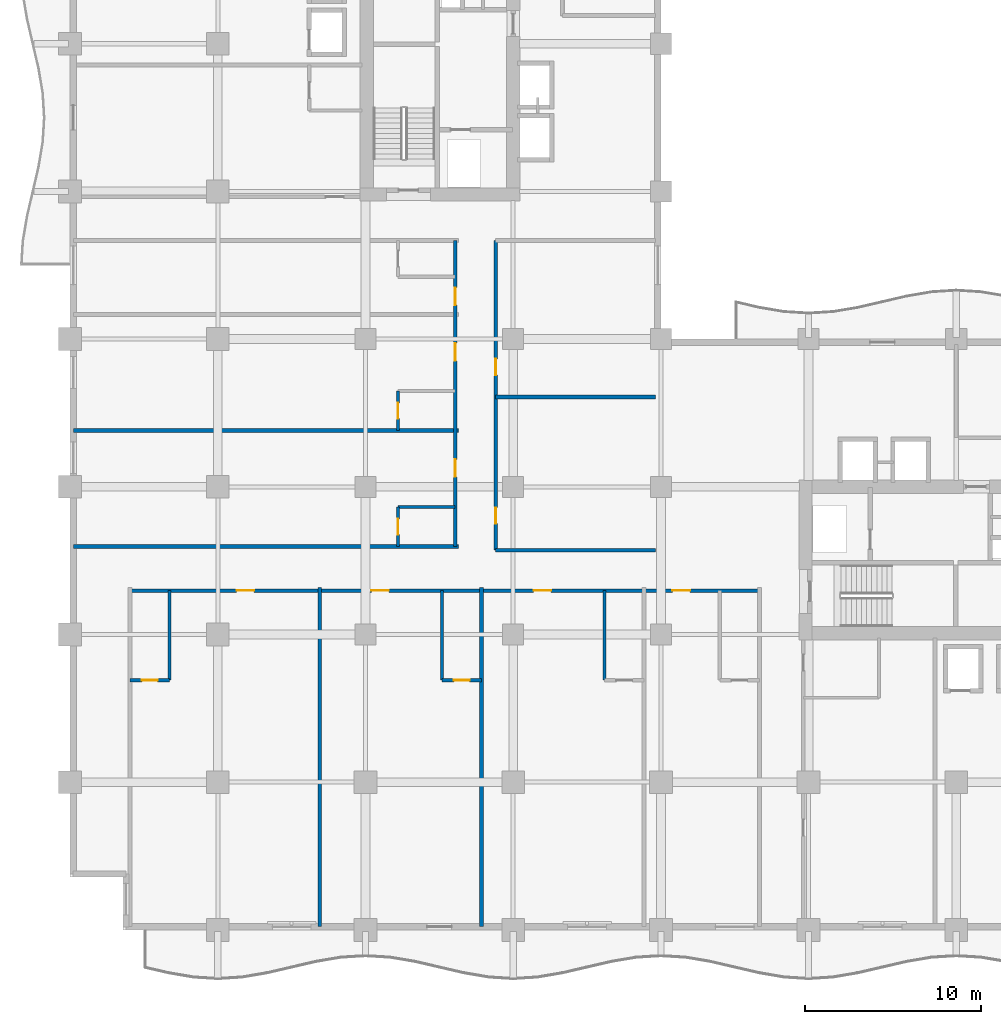
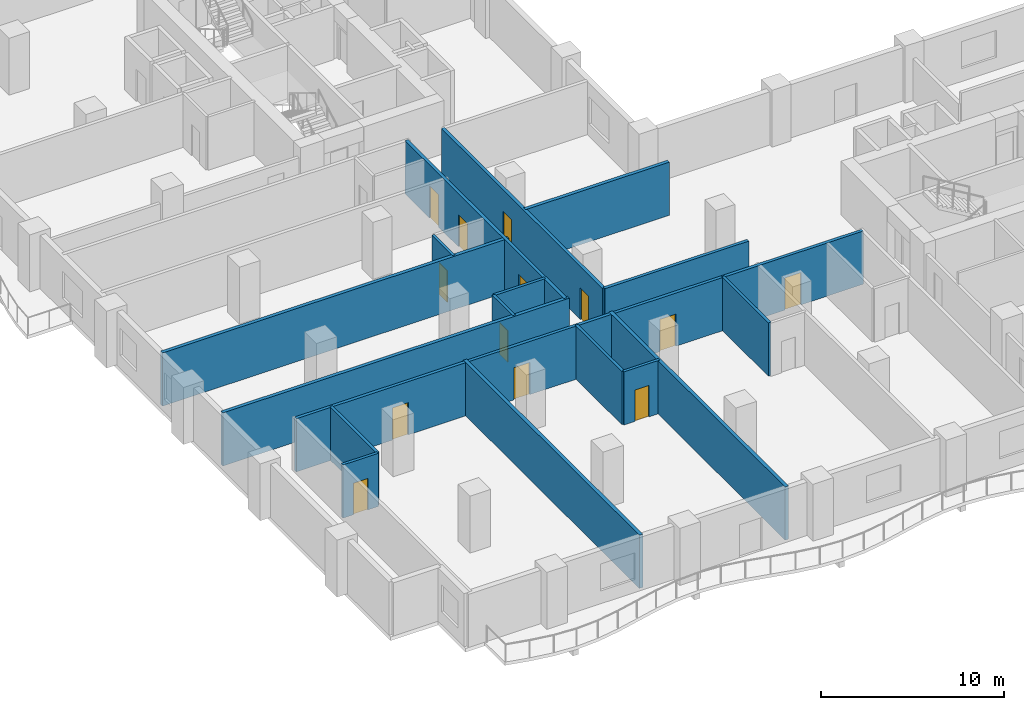
# One storey, part 7 of 21: 17 walls, 13 doors, 13 openings.
"""IFC4 building model written with IfcOpenShell, lengths in metres."""

from ifc_helpers import new_model, si_unit, direction, frame, frame_2d, origin, place, context, subcontext, project, spatial, rectangle, extrude, material, layer, layer_set, type_object, element, fill, save


model = new_model("IFC4")

# Units and contexts
model_context = context("Model", 3, precision=1e-05, world=origin(), true_north=direction((0.0, 1.0)))
body_context = subcontext(model_context, "Body", "Model", "MODEL_VIEW")
ifc_project = project(units=[si_unit("LENGTHUNIT", "METRE"), si_unit("AREAUNIT", "SQUARE_METRE"), si_unit("VOLUMEUNIT", "CUBIC_METRE"), si_unit("PLANEANGLEUNIT", "RADIAN"), si_unit("MASSUNIT", "GRAM", prefix="KILO")], contexts=[model_context])

# Site, building, storey
site_placement = place(None, origin())
site = spatial("IfcSite", under=ifc_project, at=site_placement, CompositionType="ELEMENT")
building_placement = place(site_placement, origin())
building = spatial("IfcBuilding", under=site, at=building_placement, Name="Koriwani Terraces Tower", CompositionType="ELEMENT")
storey_placement = place(building_placement, frame((0.0, 0.0, 111.39990234375)))
storey = spatial("IfcBuildingStorey", under=building, at=storey_placement, Name="L26", CompositionType="ELEMENT", Elevation=111.39990234375)

# Wall, openings, doors
ifc_material_1 = material(Name="Autoclaved Cellular Concrete Blockwork", Category="masonry")
ifc_layer_1 = layer(ifc_material_1, 0.199951171875, Name="Autoclaved Cellular Concrete Blockwork")
ifc_layer_set_1 = layer_set([ifc_layer_1], Name="Autoclaved Cellular Concrete Blockwork")
wall_type_1 = type_object("IfcWallType", Name="WALL_CORRIDOR_200", PredefinedType="PARTITIONING", material=ifc_layer_set_1)
wall_1_placement = place(storey_placement, frame((24.199951171875, 21.60009765625, 0.0), z_axis=(0.0, 0.0, 1.0), x_axis=(0.0, 1.0, 0.0)))
wall_1 = element("IfcWall", 1, at=wall_1_placement, inside=storey, type_object=wall_type_1, Name="L26 Interior Wall WIC2-W-L26", PredefinedType="PARTITIONING", context=body_context, shape_type="SweptSolid", body=[
    extrude(rectangle(XDim=17.599853515625, YDim=0.199951171875, at=frame_2d((8.7998046875, 0.0))), origin(), (0.0, 0.0, 1.0), 3.550048828125),
])
opening_1_placement = place(wall_1_placement, frame((1.5, 0.0, 0.0)))
opening_1 = element("IfcOpeningElement", 2, at=opening_1_placement, cuts=wall_1, Name="Opening D-06", PredefinedType="OPENING", context=body_context, shape_type="SweptSolid", body=[
    extrude(rectangle(XDim=0.919921875, YDim=2.10009765625, at=frame_2d((0.4599609375, 1.050048828125))), frame((0.0, 0.10986328125, 0.0), z_axis=(0.0, -1.0, 0.0), x_axis=(1.0, 0.0, 0.0)), (0.0, 0.0, 1.0), 0.219970703125),
])
opening_2_placement = place(wall_1_placement, frame((9.949951171875, 0.0, 0.0)))
opening_2 = element("IfcOpeningElement", 3, at=opening_2_placement, cuts=wall_1, Name="Opening D-06", PredefinedType="OPENING", context=body_context, shape_type="SweptSolid", body=[
    extrude(rectangle(XDim=0.919921875, YDim=2.10009765625, at=frame_2d((0.4599609375, 1.050048828125))), frame((0.0, 0.10986328125, 0.0), z_axis=(0.0, -1.0, 0.0), x_axis=(1.0, 0.0, 0.0)), (0.0, 0.0, 1.0), 0.219970703125),
])
ifc_material_2 = material(Name="Architectural Oak Fire Door", Category="wood")
door_type_1 = type_object("IfcDoorType", Name="DOOR_ROOM_INT_920X2100", OperationType="NOTDEFINED", PredefinedType="DOOR", material=ifc_material_2)
door_1_placement = place(opening_1_placement, origin())
door_1 = element("IfcDoor", 4, at=door_1_placement, inside=storey, type_object=door_type_1, Name="L26 Inner Court Salon Door", OperationType="SINGLE_SWING_RIGHT", OverallHeight=2.10009765625, OverallWidth=0.919921875, PredefinedType="DOOR", context=body_context, shape_type="SweptSolid", body=[
    extrude(rectangle(XDim=0.919921875, YDim=2.10009765625, at=frame_2d((0.4599609375, 1.050048828125))), frame((0.0, 0.02490234375, 0.0), z_axis=(0.0, -1.0, 0.0), x_axis=(1.0, 0.0, 0.0)), (0.0, 0.0, 1.0), 0.050048828125),
])
fill(opening_1, door_1)
door_2_placement = place(opening_2_placement, origin())
door_2 = element("IfcDoor", 5, at=door_2_placement, inside=storey, type_object=door_type_1, Name="L26 Inner Court Media Room Door", OperationType="SINGLE_SWING_LEFT", OverallHeight=2.10009765625, OverallWidth=0.919921875, PredefinedType="DOOR", context=body_context, shape_type="SweptSolid", body=[
    extrude(rectangle(XDim=0.919921875, YDim=2.10009765625, at=frame_2d((0.4599609375, 1.050048828125))), frame((0.0, 0.02490234375, 0.0), z_axis=(0.0, -1.0, 0.0), x_axis=(1.0, 0.0, 0.0)), (0.0, 0.0, 1.0), 0.050048828125),
])
fill(opening_2, door_2)

# Wall
wall_2_placement = place(storey_placement, frame((24.199951171875, 21.60009765625, 0.0), z_axis=(0.0, 0.0, 1.0), x_axis=(1.0, 0.0, 0.0)))
element("IfcWall", 6, at=wall_2_placement, inside=storey, type_object=wall_type_1, Name="L26 Interior Wall WIC2-S-L26", PredefinedType="PARTITIONING", context=body_context, shape_type="SweptSolid", body=[
    extrude(rectangle(XDim=9.10009765625, YDim=0.199951171875, at=frame_2d((4.550048828125, 0.0))), origin(), (0.0, 0.0, 1.0), 3.550048828125),
])

# Wall, openings, doors
wall_3_placement = place(storey_placement, frame((3.39990234375, 19.300048828125, 0.0), z_axis=(0.0, 0.0, 1.0), x_axis=(1.0, 0.0, 0.0)))
wall_3 = element("IfcWall", 7, at=wall_3_placement, inside=storey, type_object=wall_type_1, Name="L26 Interior Wall WCOR-L26-SW-0", PredefinedType="PARTITIONING", context=body_context, shape_type="SweptSolid", body=[
    extrude(rectangle(XDim=35.800048828125, YDim=0.199951171875, at=frame_2d((17.89990234375, 0.0))), origin(), (0.0, 0.0, 1.0), 3.550048828125),
])
opening_3_placement = place(wall_3_placement, frame((6.06494140625, 0.0, 0.0)))
opening_3 = element("IfcOpeningElement", 8, at=opening_3_placement, cuts=wall_3, Name="Opening D-05", PredefinedType="OPENING", context=body_context, shape_type="SweptSolid", body=[
    extrude(rectangle(XDim=1.0, YDim=2.14990234375, at=frame_2d((0.5, 1.074951171875))), frame((0.0, 0.10986328125, 0.0), z_axis=(0.0, -1.0, 0.0), x_axis=(1.0, 0.0, 0.0)), (0.0, 0.0, 1.0), 0.219970703125),
])
opening_4_placement = place(wall_3_placement, frame((13.735107421875, 0.0, 0.0)))
opening_4 = element("IfcOpeningElement", 9, at=opening_4_placement, cuts=wall_3, Name="Opening D-05", PredefinedType="OPENING", context=body_context, shape_type="SweptSolid", body=[
    extrude(rectangle(XDim=1.0, YDim=2.14990234375, at=frame_2d((0.5, 1.074951171875))), frame((0.0, 0.10986328125, 0.0), z_axis=(0.0, -1.0, 0.0), x_axis=(1.0, 0.0, 0.0)), (0.0, 0.0, 1.0), 0.219970703125),
])
opening_5_placement = place(wall_3_placement, frame((22.9599609375, 0.0, 0.0)))
opening_5 = element("IfcOpeningElement", 10, at=opening_5_placement, cuts=wall_3, Name="Opening D-05", PredefinedType="OPENING", context=body_context, shape_type="SweptSolid", body=[
    extrude(rectangle(XDim=1.0, YDim=2.14990234375, at=frame_2d((0.5, 1.074951171875))), frame((0.0, 0.10986328125, 0.0), z_axis=(0.0, -1.0, 0.0), x_axis=(1.0, 0.0, 0.0)), (0.0, 0.0, 1.0), 0.219970703125),
])
opening_6_placement = place(wall_3_placement, frame((30.860107421875, 0.0, 0.0)))
opening_6 = element("IfcOpeningElement", 11, at=opening_6_placement, cuts=wall_3, Name="Opening D-05", PredefinedType="OPENING", context=body_context, shape_type="SweptSolid", body=[
    extrude(rectangle(XDim=1.0, YDim=2.14990234375, at=frame_2d((0.5, 1.074951171875))), frame((0.0, 0.10986328125, 0.0), z_axis=(0.0, -1.0, 0.0), x_axis=(1.0, 0.0, 0.0)), (0.0, 0.0, 1.0), 0.219970703125),
])
door_type_2 = type_object("IfcDoorType", Name="DOOR_SUITE_ENTRY_1000X2150", OperationType="NOTDEFINED", PredefinedType="DOOR", material=ifc_material_2)
door_3_placement = place(opening_3_placement, origin())
door_3 = element("IfcDoor", 12, at=door_3_placement, inside=storey, type_object=door_type_2, Name="Luxury Hotel Suite 26SW1 Entrance Door", OperationType="SINGLE_SWING_RIGHT", OverallHeight=2.14990234375, OverallWidth=1.0, PredefinedType="DOOR", context=body_context, shape_type="SweptSolid", body=[
    extrude(rectangle(XDim=1.0, YDim=2.14990234375, at=frame_2d((0.5, 1.074951171875))), frame((0.0, 0.02490234375, 0.0), z_axis=(0.0, -1.0, 0.0), x_axis=(1.0, 0.0, 0.0)), (0.0, 0.0, 1.0), 0.050048828125),
])
fill(opening_3, door_3)
door_4_placement = place(opening_4_placement, origin())
door_4 = element("IfcDoor", 13, at=door_4_placement, inside=storey, type_object=door_type_2, Name="Luxury Hotel Suite 26SW2 Entrance Door", OperationType="SINGLE_SWING_RIGHT", OverallHeight=2.14990234375, OverallWidth=1.0, PredefinedType="DOOR", context=body_context, shape_type="SweptSolid", body=[
    extrude(rectangle(XDim=1.0, YDim=2.14990234375, at=frame_2d((0.5, 1.074951171875))), frame((0.0, 0.02490234375, 0.0), z_axis=(0.0, -1.0, 0.0), x_axis=(1.0, 0.0, 0.0)), (0.0, 0.0, 1.0), 0.050048828125),
])
fill(opening_4, door_4)
door_5_placement = place(opening_5_placement, origin())
door_5 = element("IfcDoor", 14, at=door_5_placement, inside=storey, type_object=door_type_2, Name="Luxury Hotel Suite 26SW3 Entrance Door", OperationType="SINGLE_SWING_RIGHT", OverallHeight=2.14990234375, OverallWidth=1.0, PredefinedType="DOOR", context=body_context, shape_type="SweptSolid", body=[
    extrude(rectangle(XDim=1.0, YDim=2.14990234375, at=frame_2d((0.5, 1.074951171875))), frame((0.0, 0.02490234375, 0.0), z_axis=(0.0, -1.0, 0.0), x_axis=(1.0, 0.0, 0.0)), (0.0, 0.0, 1.0), 0.050048828125),
])
fill(opening_5, door_5)
door_6_placement = place(opening_6_placement, origin())
door_6 = element("IfcDoor", 15, at=door_6_placement, inside=storey, type_object=door_type_2, Name="Luxury Hotel Suite 26SW4 Entrance Door", OperationType="SINGLE_SWING_RIGHT", OverallHeight=2.14990234375, OverallWidth=1.0, PredefinedType="DOOR", context=body_context, shape_type="SweptSolid", body=[
    extrude(rectangle(XDim=1.0, YDim=2.14990234375, at=frame_2d((0.5, 1.074951171875))), frame((0.0, 0.02490234375, 0.0), z_axis=(0.0, -1.0, 0.0), x_axis=(1.0, 0.0, 0.0)), (0.0, 0.0, 1.0), 0.050048828125),
])
fill(opening_6, door_6)

wall_4_placement = place(storey_placement, frame((21.89990234375, 21.800048828125, 0.0), z_axis=(0.0, 0.0, 1.0), x_axis=(0.0, 1.0, 0.0)))
wall_4 = element("IfcWall", 16, at=wall_4_placement, inside=storey, type_object=wall_type_1, Name="L26 Interior Wall WCOR-L26-NW-0", PredefinedType="PARTITIONING", context=body_context, shape_type="SweptSolid", body=[
    extrude(rectangle(XDim=17.39990234375, YDim=0.199951171875, at=frame_2d((8.699951171875, 0.0))), origin(), (0.0, 0.0, 1.0), 3.550048828125),
])
opening_7_placement = place(wall_4_placement, frame((3.965087890625, 0.0, 0.0)))
opening_7 = element("IfcOpeningElement", 17, at=opening_7_placement, cuts=wall_4, Name="Opening D-05", PredefinedType="OPENING", context=body_context, shape_type="SweptSolid", body=[
    extrude(rectangle(XDim=1.0, YDim=2.14990234375, at=frame_2d((0.5, 1.074951171875))), frame((0.0, 0.10986328125, 0.0), z_axis=(0.0, -1.0, 0.0), x_axis=(1.0, 0.0, 0.0)), (0.0, 0.0, 1.0), 0.219970703125),
])
opening_8_placement = place(wall_4_placement, frame((10.56494140625, 0.0, 0.0)))
opening_8 = element("IfcOpeningElement", 18, at=opening_8_placement, cuts=wall_4, Name="Opening D-05", PredefinedType="OPENING", context=body_context, shape_type="SweptSolid", body=[
    extrude(rectangle(XDim=1.0, YDim=2.14990234375, at=frame_2d((0.5, 1.074951171875))), frame((0.0, 0.10986328125, 0.0), z_axis=(0.0, -1.0, 0.0), x_axis=(1.0, 0.0, 0.0)), (0.0, 0.0, 1.0), 0.219970703125),
])
opening_9_placement = place(wall_4_placement, frame((13.735107421875, 0.0, 0.0)))
opening_9 = element("IfcOpeningElement", 19, at=opening_9_placement, cuts=wall_4, Name="Opening D-05", PredefinedType="OPENING", context=body_context, shape_type="SweptSolid", body=[
    extrude(rectangle(XDim=1.0, YDim=2.14990234375, at=frame_2d((0.5, 1.074951171875))), frame((0.0, 0.10986328125, 0.0), z_axis=(0.0, -1.0, 0.0), x_axis=(1.0, 0.0, 0.0)), (0.0, 0.0, 1.0), 0.219970703125),
])
door_7_placement = place(opening_7_placement, origin())
door_7 = element("IfcDoor", 20, at=door_7_placement, inside=storey, type_object=door_type_2, Name="Luxury Hotel Suite 26NW1 Entrance Door", OperationType="SINGLE_SWING_RIGHT", OverallHeight=2.14990234375, OverallWidth=1.0, PredefinedType="DOOR", context=body_context, shape_type="SweptSolid", body=[
    extrude(rectangle(XDim=1.0, YDim=2.14990234375, at=frame_2d((0.5, 1.074951171875))), frame((0.0, 0.02490234375, 0.0), z_axis=(0.0, -1.0, 0.0), x_axis=(1.0, 0.0, 0.0)), (0.0, 0.0, 1.0), 0.050048828125),
])
fill(opening_7, door_7)
door_8_placement = place(opening_8_placement, origin())
door_8 = element("IfcDoor", 21, at=door_8_placement, inside=storey, type_object=door_type_2, Name="Luxury Hotel Suite 26NW2 Entrance Door", OperationType="SINGLE_SWING_RIGHT", OverallHeight=2.14990234375, OverallWidth=1.0, PredefinedType="DOOR", context=body_context, shape_type="SweptSolid", body=[
    extrude(rectangle(XDim=1.0, YDim=2.14990234375, at=frame_2d((0.5, 1.074951171875))), frame((0.0, 0.02490234375, 0.0), z_axis=(0.0, -1.0, 0.0), x_axis=(1.0, 0.0, 0.0)), (0.0, 0.0, 1.0), 0.050048828125),
])
fill(opening_8, door_8)
door_9_placement = place(opening_9_placement, origin())
door_9 = element("IfcDoor", 22, at=door_9_placement, inside=storey, type_object=door_type_2, Name="Luxury Hotel Suite 26NW3 Entrance Door", OperationType="SINGLE_SWING_RIGHT", OverallHeight=2.14990234375, OverallWidth=1.0, PredefinedType="DOOR", context=body_context, shape_type="SweptSolid", body=[
    extrude(rectangle(XDim=1.0, YDim=2.14990234375, at=frame_2d((0.5, 1.074951171875))), frame((0.0, 0.02490234375, 0.0), z_axis=(0.0, -1.0, 0.0), x_axis=(1.0, 0.0, 0.0)), (0.0, 0.0, 1.0), 0.050048828125),
])
fill(opening_9, door_9)

# Walls
ifc_layer_2 = layer(ifc_material_1, 0.219970703125, Name="Autoclaved Cellular Concrete Blockwork")
ifc_layer_set_2 = layer_set([ifc_layer_2], Name="Autoclaved Cellular Concrete Blockwork")
wall_type_2 = type_object("IfcWallType", Name="WALL_DEMISING_220", PredefinedType="PARTITIONING", material=ifc_layer_set_2)
wall_5_placement = place(storey_placement, frame((24.199951171875, 30.300048828125, 0.0), z_axis=(0.0, 0.0, 1.0), x_axis=(1.0, 0.0, 0.0)))
element("IfcWall", 23, at=wall_5_placement, inside=storey, type_object=wall_type_2, Name="L26 Interior Wall WIC2-M-L26", PredefinedType="PARTITIONING", context=body_context, shape_type="SweptSolid", body=[
    extrude(rectangle(XDim=9.10009765625, YDim=0.219970703125, at=frame_2d((4.550048828125, 0.0))), origin(), (0.0, 0.0, 1.0), 3.550048828125),
])
for number, where, z_axis, x_axis, name in (
    (24, (14.199951171875, 0.199951171875, 0.0), (0.0, 0.0, 1.0), (0.0, 1.0, 0.0), "L26 Interior Wall WDEM-L26-SW-1"),
    (25, (23.39990234375, 0.199951171875, 0.0), (0.0, 0.0, 1.0), (0.0, 1.0, 0.0), "L26 Interior Wall WDEM-L26-SW-2"),
):
    element("IfcWall", number, at=place(storey_placement, frame(where, z_axis=z_axis, x_axis=x_axis)), inside=storey, type_object=wall_type_2, Name=name, PredefinedType="PARTITIONING", context=body_context, shape_type="SweptSolid", body=[
        extrude(rectangle(XDim=19.280029296875, YDim=0.219970703125, at=frame_2d((9.64013671875, 0.0))), origin(), (0.0, 0.0, 1.0), 3.550048828125),
    ])
for number, where, z_axis, x_axis, name in (
    (26, (0.199951171875, 21.800048828125, 0.0), (0.0, 0.0, 1.0), (1.0, 0.0, 0.0), "L26 Interior Wall WDEM-L26-NW-0"),
    (27, (0.199951171875, 28.39990234375, 0.0), (0.0, 0.0, 1.0), (1.0, 0.0, 0.0), "L26 Interior Wall WDEM-L26-NW-1"),
):
    element("IfcWall", number, at=place(storey_placement, frame(where, z_axis=z_axis, x_axis=x_axis)), inside=storey, type_object=wall_type_2, Name=name, PredefinedType="PARTITIONING", context=body_context, shape_type="SweptSolid", body=[
        extrude(rectangle(XDim=21.880126953125, YDim=0.219970703125, at=frame_2d((10.93994140625, 0.0))), origin(), (0.0, 0.0, 1.0), 3.550048828125),
    ])

# Wall, opening, door
ifc_material_3 = material(Name="Fire-Rated Acoustic Gypsum Partition", Category="masonry")
ifc_layer_3 = layer(ifc_material_3, 0.179931640625, Name="Fire-Rated Acoustic Gypsum Partition")
ifc_layer_set_3 = layer_set([ifc_layer_3], Name="Fire-Rated Acoustic Gypsum Partition")
wall_type_3 = type_object("IfcWallType", Name="WALL_PLUMBING_180", PredefinedType="PLUMBINGWALL", material=ifc_layer_set_3)
wall_6_placement = place(storey_placement, frame((3.39990234375, 14.199951171875, 0.0), z_axis=(0.0, 0.0, 1.0), x_axis=(1.0, 0.0, 0.0)))
wall_6 = element("IfcWall", 28, at=wall_6_placement, inside=storey, type_object=wall_type_3, Name="L26 Interior Wall WBTH1-L26-SW-0", PredefinedType="PLUMBINGWALL", context=body_context, shape_type="SweptSolid", body=[
    extrude(rectangle(XDim=2.25, YDim=0.179931640625, at=frame_2d((1.125, 0.0))), origin(), (0.0, 0.0, 1.0), 3.550048828125),
])
opening_10_placement = place(wall_6_placement, frame((0.675048828125, 0.0, 0.0)))
opening_10 = element("IfcOpeningElement", 29, at=opening_10_placement, cuts=wall_6, Name="Opening D-07", PredefinedType="OPENING", context=body_context, shape_type="SweptSolid", body=[
    extrude(rectangle(XDim=0.89990234375, YDim=2.10009765625, at=frame_2d((0.449951171875, 1.050048828125))), frame((0.0, 0.10009765625, 0.0), z_axis=(0.0, -1.0, 0.0), x_axis=(1.0, 0.0, 0.0)), (0.0, 0.0, 1.0), 0.199951171875),
])
door_type_3 = type_object("IfcDoorType", Name="DOOR_BATH_INT_900X2100", OperationType="NOTDEFINED", PredefinedType="DOOR", material=ifc_material_2)
door_10_placement = place(opening_10_placement, origin())
door_10 = element("IfcDoor", 30, at=door_10_placement, inside=storey, type_object=door_type_3, Name="En-Suite Bathroom 26SW1 Door", OperationType="SINGLE_SWING_LEFT", OverallHeight=2.10009765625, OverallWidth=0.89990234375, PredefinedType="DOOR", context=body_context, shape_type="SweptSolid", body=[
    extrude(rectangle(XDim=0.89990234375, YDim=2.10009765625, at=frame_2d((0.449951171875, 1.050048828125))), frame((0.0, 0.02490234375, 0.0), z_axis=(0.0, -1.0, 0.0), x_axis=(1.0, 0.0, 0.0)), (0.0, 0.0, 1.0), 0.050048828125),
])
fill(opening_10, door_10)

# Wall
wall_7_placement = place(storey_placement, frame((5.64990234375, 14.199951171875, 0.0), z_axis=(0.0, 0.0, 1.0), x_axis=(0.0, 1.0, 0.0)))
element("IfcWall", 31, at=wall_7_placement, inside=storey, type_object=wall_type_3, Name="L26 Interior Wall WBTH2-L26-SW-0", PredefinedType="PLUMBINGWALL", context=body_context, shape_type="SweptSolid", body=[
    extrude(rectangle(XDim=5.10009765625, YDim=0.179931640625, at=frame_2d((2.550048828125, 0.0))), origin(), (0.0, 0.0, 1.0), 3.550048828125),
])

# Wall, opening, door
wall_8_placement = place(storey_placement, frame((21.14990234375, 14.199951171875, 0.0), z_axis=(0.0, 0.0, 1.0), x_axis=(1.0, 0.0, 0.0)))
wall_8 = element("IfcWall", 32, at=wall_8_placement, inside=storey, type_object=wall_type_3, Name="L26 Interior Wall WBTH1-L26-SW-1", PredefinedType="PLUMBINGWALL", context=body_context, shape_type="SweptSolid", body=[
    extrude(rectangle(XDim=2.25, YDim=0.179931640625, at=frame_2d((1.125, 0.0))), origin(), (0.0, 0.0, 1.0), 3.550048828125),
])
opening_11_placement = place(wall_8_placement, frame((0.675048828125, 0.0, 0.0)))
opening_11 = element("IfcOpeningElement", 33, at=opening_11_placement, cuts=wall_8, Name="Opening D-07", PredefinedType="OPENING", context=body_context, shape_type="SweptSolid", body=[
    extrude(rectangle(XDim=0.89990234375, YDim=2.10009765625, at=frame_2d((0.449951171875, 1.050048828125))), frame((0.0, 0.10009765625, 0.0), z_axis=(0.0, -1.0, 0.0), x_axis=(1.0, 0.0, 0.0)), (0.0, 0.0, 1.0), 0.199951171875),
])
door_11_placement = place(opening_11_placement, origin())
door_11 = element("IfcDoor", 34, at=door_11_placement, inside=storey, type_object=door_type_3, Name="En-Suite Bathroom 26SW2 Door", OperationType="SINGLE_SWING_LEFT", OverallHeight=2.10009765625, OverallWidth=0.89990234375, PredefinedType="DOOR", context=body_context, shape_type="SweptSolid", body=[
    extrude(rectangle(XDim=0.89990234375, YDim=2.10009765625, at=frame_2d((0.449951171875, 1.050048828125))), frame((0.0, 0.02490234375, 0.0), z_axis=(0.0, -1.0, 0.0), x_axis=(1.0, 0.0, 0.0)), (0.0, 0.0, 1.0), 0.050048828125),
])
fill(opening_11, door_11)

# Walls
for number, where, z_axis, x_axis, name in (
    (35, (21.14990234375, 14.199951171875, 0.0), (0.0, 0.0, 1.0), (0.0, 1.0, 0.0), "L26 Interior Wall WBTH2-L26-SW-1"),
    (36, (30.39990234375, 14.199951171875, 0.0), (0.0, 0.0, 1.0), (0.0, 1.0, 0.0), "L26 Interior Wall WBTH2-L26-SW-2"),
):
    element("IfcWall", number, at=place(storey_placement, frame(where, z_axis=z_axis, x_axis=x_axis)), inside=storey, type_object=wall_type_3, Name=name, PredefinedType="PLUMBINGWALL", context=body_context, shape_type="SweptSolid", body=[
        extrude(rectangle(XDim=5.10009765625, YDim=0.179931640625, at=frame_2d((2.550048828125, 0.0))), origin(), (0.0, 0.0, 1.0), 3.550048828125),
    ])

# Wall, opening, door
wall_9_placement = place(storey_placement, frame((18.64990234375, 21.800048828125, 0.0), z_axis=(0.0, 0.0, 1.0), x_axis=(0.0, 1.0, 0.0)))
wall_9 = element("IfcWall", 37, at=wall_9_placement, inside=storey, type_object=wall_type_3, Name="L26 Interior Wall WBTH1-L26-NW-0", PredefinedType="PLUMBINGWALL", context=body_context, shape_type="SweptSolid", body=[
    extrude(rectangle(XDim=2.25, YDim=0.179931640625, at=frame_2d((1.125, 0.0))), origin(), (0.0, 0.0, 1.0), 3.550048828125),
])
opening_12_placement = place(wall_9_placement, frame((0.675048828125, 0.0, 0.0)))
opening_12 = element("IfcOpeningElement", 38, at=opening_12_placement, cuts=wall_9, Name="Opening D-07", PredefinedType="OPENING", context=body_context, shape_type="SweptSolid", body=[
    extrude(rectangle(XDim=0.89990234375, YDim=2.10009765625, at=frame_2d((0.449951171875, 1.050048828125))), frame((0.0, 0.10009765625, 0.0), z_axis=(0.0, -1.0, 0.0), x_axis=(1.0, 0.0, 0.0)), (0.0, 0.0, 1.0), 0.199951171875),
])
door_12_placement = place(opening_12_placement, origin())
door_12 = element("IfcDoor", 39, at=door_12_placement, inside=storey, type_object=door_type_3, Name="En-Suite Bathroom 26NW1 Door", OperationType="SINGLE_SWING_LEFT", OverallHeight=2.10009765625, OverallWidth=0.89990234375, PredefinedType="DOOR", context=body_context, shape_type="SweptSolid", body=[
    extrude(rectangle(XDim=0.89990234375, YDim=2.10009765625, at=frame_2d((0.449951171875, 1.050048828125))), frame((0.0, 0.02490234375, 0.0), z_axis=(0.0, -1.0, 0.0), x_axis=(1.0, 0.0, 0.0)), (0.0, 0.0, 1.0), 0.050048828125),
])
fill(opening_12, door_12)

# Wall
wall_10_placement = place(storey_placement, frame((18.64990234375, 24.050048828125, 0.0), z_axis=(0.0, 0.0, 1.0), x_axis=(1.0, 0.0, 0.0)))
element("IfcWall", 40, at=wall_10_placement, inside=storey, type_object=wall_type_3, Name="L26 Interior Wall WBTH2-L26-NW-0", PredefinedType="PLUMBINGWALL", context=body_context, shape_type="SweptSolid", body=[
    extrude(rectangle(XDim=3.25, YDim=0.179931640625, at=frame_2d((1.625, 0.0))), origin(), (0.0, 0.0, 1.0), 3.550048828125),
])

# Wall, opening, door
wall_11_placement = place(storey_placement, frame((18.64990234375, 28.39990234375, 0.0), z_axis=(0.0, 0.0, 1.0), x_axis=(0.0, 1.0, 0.0)))
wall_11 = element("IfcWall", 41, at=wall_11_placement, inside=storey, type_object=wall_type_3, Name="L26 Interior Wall WBTH1-L26-NW-1", PredefinedType="PLUMBINGWALL", context=body_context, shape_type="SweptSolid", body=[
    extrude(rectangle(XDim=2.25, YDim=0.179931640625, at=frame_2d((1.125, 0.0))), origin(), (0.0, 0.0, 1.0), 3.550048828125),
])
opening_13_placement = place(wall_11_placement, frame((0.675048828125, 0.0, 0.0)))
opening_13 = element("IfcOpeningElement", 42, at=opening_13_placement, cuts=wall_11, Name="Opening D-07", PredefinedType="OPENING", context=body_context, shape_type="SweptSolid", body=[
    extrude(rectangle(XDim=0.89990234375, YDim=2.10009765625, at=frame_2d((0.449951171875, 1.050048828125))), frame((0.0, 0.10009765625, 0.0), z_axis=(0.0, -1.0, 0.0), x_axis=(1.0, 0.0, 0.0)), (0.0, 0.0, 1.0), 0.199951171875),
])
door_13_placement = place(opening_13_placement, origin())
door_13 = element("IfcDoor", 43, at=door_13_placement, inside=storey, type_object=door_type_3, Name="En-Suite Bathroom 26NW2 Door", OperationType="SINGLE_SWING_LEFT", OverallHeight=2.10009765625, OverallWidth=0.89990234375, PredefinedType="DOOR", context=body_context, shape_type="SweptSolid", body=[
    extrude(rectangle(XDim=0.89990234375, YDim=2.10009765625, at=frame_2d((0.449951171875, 1.050048828125))), frame((0.0, 0.02490234375, 0.0), z_axis=(0.0, -1.0, 0.0), x_axis=(1.0, 0.0, 0.0)), (0.0, 0.0, 1.0), 0.050048828125),
])
fill(opening_13, door_13)

save(model, "model.ifc")
